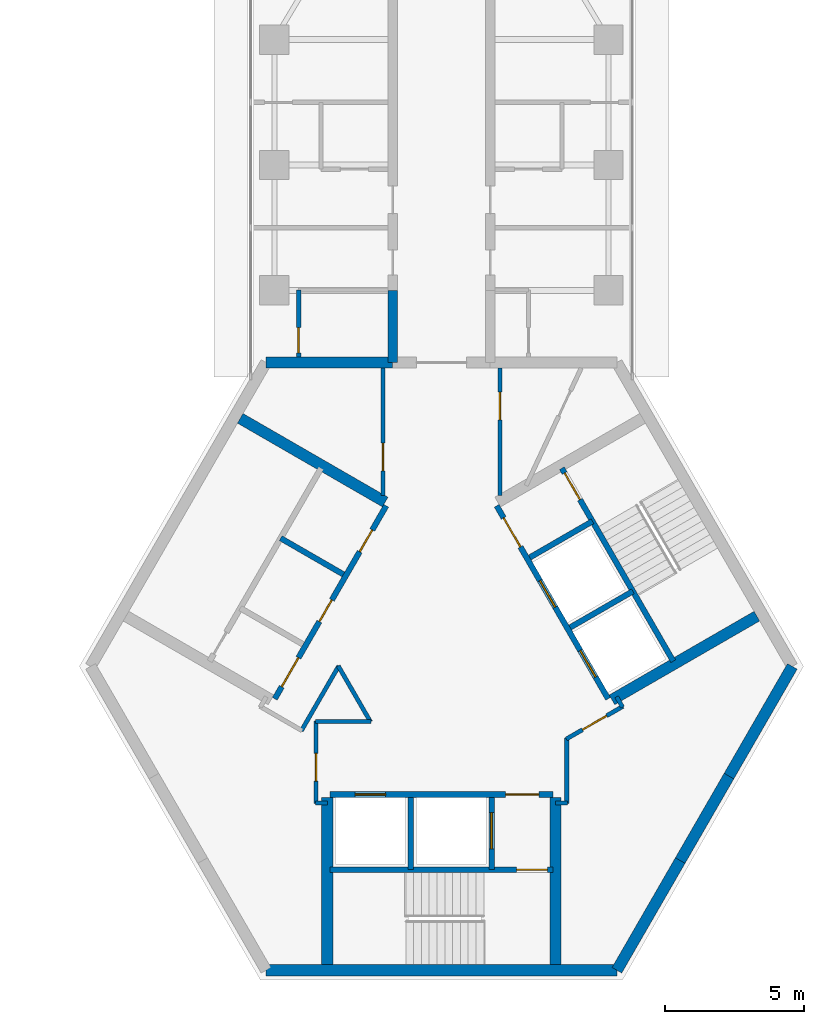
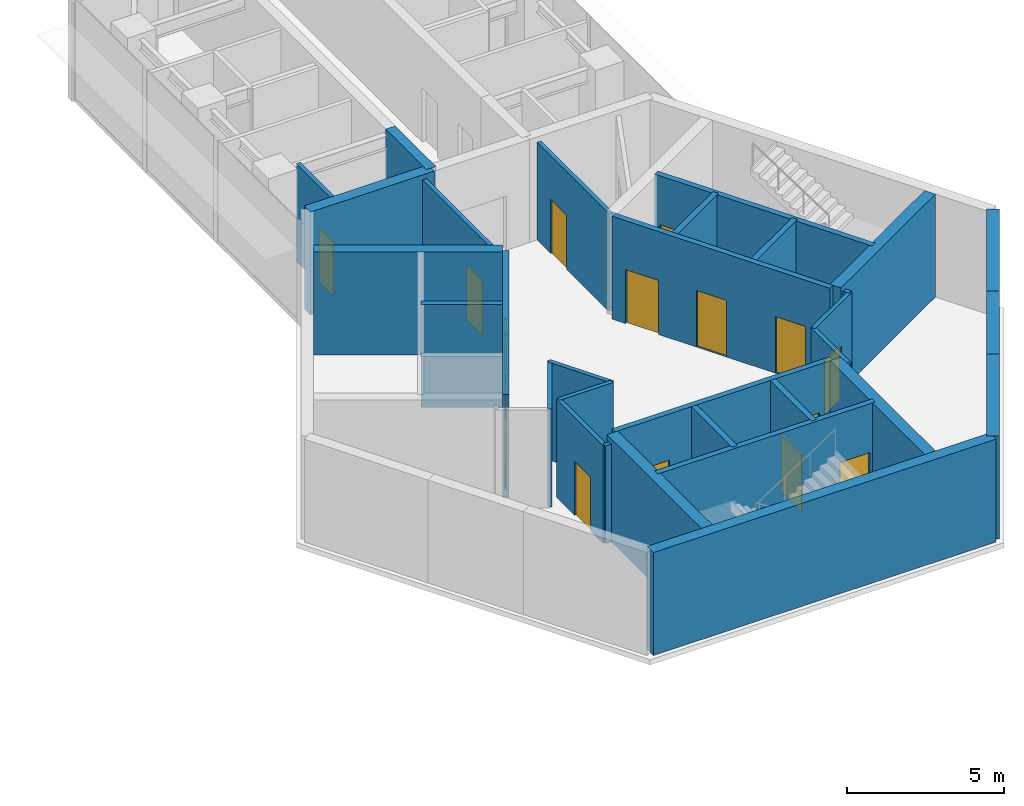
# One storey, part 8 of 11: 32 walls, 16 doors, 16 openings.
"""IFC4 building model written with IfcOpenShell, lengths in metres."""

from ifc_helpers import new_model, si_unit, direction, frame, frame_2d, origin, place, context, subcontext, project, spatial, rectangle, extrude, material, layer, layer_set, type_object, element, fill, save


model = new_model("IFC4")

# Units and contexts
model_context = context("Model", 3, precision=1e-05, world=origin(), true_north=direction((0.0, 1.0)))
body_context = subcontext(model_context, "Body", "Model", "MODEL_VIEW")
ifc_project = project(units=[si_unit("LENGTHUNIT", "METRE"), si_unit("AREAUNIT", "SQUARE_METRE"), si_unit("VOLUMEUNIT", "CUBIC_METRE"), si_unit("PLANEANGLEUNIT", "RADIAN"), si_unit("MASSUNIT", "GRAM", prefix="KILO")], contexts=[model_context])

# Site, building, storey
site_placement = place(None, origin())
site = spatial("IfcSite", under=ifc_project, at=site_placement, CompositionType="ELEMENT")
building_placement = place(site_placement, origin())
building = spatial("IfcBuilding", under=site, at=building_placement, Name="Upepo Twin Towers", CompositionType="ELEMENT")
storey_placement = place(building_placement, frame((0.0, 0.0, 259.5)))
storey = spatial("IfcBuildingStorey", under=building, at=storey_placement, Name="L63", CompositionType="ELEMENT", Elevation=259.5)

# Walls
ifc_material_1 = material(Name="Concrete C60/75", Category="concrete")
ifc_layer_1 = layer(ifc_material_1, 0.35009765625)
ifc_layer_set_1 = layer_set([ifc_layer_1], Name="Concrete C60/75")
wall_type_1 = type_object("IfcWallType", Name="Buttress wall 350 RC", PredefinedType="SHEAR", material=ifc_layer_set_1)
wall_1_placement = place(storey_placement, frame((56.75, -7.091552734375, 0.0), z_axis=(0.0, 0.0, 1.0), x_axis=(0.0, 1.0, 0.0)))
element("IfcWall", 1, at=wall_1_placement, inside=storey, type_object=wall_type_1, Name="T2 wing A buttress wall L", PredefinedType="SHEAR", context=body_context, shape_type="SweptSolid", body=[
    extrude(rectangle(XDim=2.591552734375, YDim=0.35009765625, at=frame_2d((1.2958984375, 0.0))), origin(), (0.0, 0.0, 1.0), 4.0),
])
ifc_material_2 = material(Name="Concrete C60/75", Category="concrete")
ifc_layer_2 = layer(ifc_material_2, 0.39990234375)
ifc_layer_set_2 = layer_set([ifc_layer_2], Name="Concrete C60/75")
wall_type_2 = type_object("IfcWallType", Name="Core wall 400 RC", PredefinedType="SHEAR", material=ifc_layer_set_2)
wall_2_placement = place(storey_placement, frame((56.75, -7.091552734375, 0.0), z_axis=(0.0, 0.0, 1.0), x_axis=(-1.0, 0.0, 0.0)))
element("IfcWall", 2, at=wall_2_placement, inside=storey, type_object=wall_type_2, Name="T2 core wall 000 L", PredefinedType="SHEAR", context=body_context, shape_type="SweptSolid", body=[
    extrude(rectangle(XDim=4.5478515625, YDim=0.39990234375, at=frame_2d((2.27392578125, 0.0))), origin(), (0.0, 0.0, 1.0), 4.0),
])
wall_3_placement = place(storey_placement, frame((52.2021484375, -28.908447265625, 0.0), z_axis=(0.0, 0.0, 1.0), x_axis=(1.0, 0.0, 0.0)))
element("IfcWall", 3, at=wall_3_placement, inside=storey, type_object=wall_type_2, Name="T2 core wall 180", PredefinedType="SHEAR", context=body_context, shape_type="SweptSolid", body=[
    extrude(rectangle(XDim=12.595703125, YDim=0.39990234375, at=frame_2d((6.2978515625, 0.0))), origin(), (0.0, 0.0, 1.0), 4.0),
])
wall_4_placement = place(storey_placement, frame((64.7978515625, -28.908447265625, 0.0), z_axis=(0.0, 0.0, 1.0), x_axis=(0.499984222037, 0.866034513004, 0.0)))
element("IfcWall", 4, at=wall_4_placement, inside=storey, type_object=wall_type_2, Name="T2 core wall 240 R", PredefinedType="SHEAR", context=body_context, shape_type="SweptSolid", body=[
    extrude(rectangle(XDim=4.548095703125, YDim=0.39990234375, at=frame_2d((2.27392578125, 0.0))), origin(), (0.0, 0.0, 1.0), 4.0),
])
wall_5_placement = place(storey_placement, frame((67.07177734375, -24.9697265625, 0.0), z_axis=(0.0, 0.0, 1.0), x_axis=(0.500010275428, 0.866019471182, 0.0)))
element("IfcWall", 5, at=wall_5_placement, inside=storey, type_object=wall_type_2, Name="T2 core wall 240", PredefinedType="SHEAR", context=body_context, shape_type="SweptSolid", body=[
    extrude(rectangle(XDim=3.5, YDim=0.39990234375, at=frame_2d((1.75, 0.0))), origin(), (0.0, 0.0, 1.0), 4.0),
])
wall_6_placement = place(storey_placement, frame((68.82177734375, -21.938720703125, 0.0), z_axis=(0.0, 0.0, 1.0), x_axis=(0.500024481964, 0.866011268655, 0.0)))
element("IfcWall", 6, at=wall_6_placement, inside=storey, type_object=wall_type_2, Name="T2 core wall 240 L", PredefinedType="SHEAR", context=body_context, shape_type="SweptSolid", body=[
    extrude(rectangle(XDim=4.548095703125, YDim=0.39990234375, at=frame_2d((2.27392578125, 0.0))), origin(), (0.0, 0.0, 1.0), 4.0),
])

# Wall, openings, doors
ifc_material_3 = material(Name="Concrete C40/50", Category="concrete")
ifc_layer_3 = layer(ifc_material_3, 0.199951171875)
ifc_layer_set_3 = layer_set([ifc_layer_3], Name="Concrete C40/50")
wall_type_3 = type_object("IfcWallType", Name="Shaft wall 200 RC", PredefinedType="SHEAR", material=ifc_layer_set_3)
wall_7_placement = place(storey_placement, frame((56.516357421875, -12.23583984375, 0.0), z_axis=(0.0, 0.0, 1.0), x_axis=(-0.49999894854, -0.866026010844, 0.0)))
wall_7 = element("IfcWall", 7, at=wall_7_placement, inside=storey, type_object=wall_type_3, Name="T2 core W60 front wall", PredefinedType="SHEAR", context=body_context, shape_type="SweptSolid", body=[
    extrude(rectangle(XDim=8.0, YDim=0.199951171875, at=frame_2d((4.0, 0.0))), origin(), (0.0, 0.0, 1.0), 4.0),
])
opening_1_placement = place(wall_7_placement, frame((6.300048828125, 0.0, 0.0)))
opening_1 = element("IfcOpeningElement", 8, at=opening_1_placement, cuts=wall_7, Name="Opening D4", PredefinedType="OPENING", context=body_context, shape_type="SweptSolid", body=[
    extrude(rectangle(XDim=1.199951171875, YDim=2.10009765625, at=frame_2d((0.60009765625, 1.050048828125))), frame((0.0, 0.10986328125, 0.0), z_axis=(0.0, -1.0, 0.0), x_axis=(1.0, 0.0, 0.0)), (0.0, 0.0, 1.0), 0.219970703125),
])
opening_2_placement = place(wall_7_placement, frame((1.0, 0.0, 0.0)))
opening_2 = element("IfcOpeningElement", 9, at=opening_2_placement, cuts=wall_7, Name="Opening D9", PredefinedType="OPENING", context=body_context, shape_type="SweptSolid", body=[
    extrude(rectangle(XDim=0.89990234375, YDim=2.10009765625, at=frame_2d((0.449951171875, 1.050048828125))), frame((0.0, 0.10986328125, 0.0), z_axis=(0.0, -1.0, 0.0), x_axis=(1.0, 0.0, 0.0)), (0.0, 0.0, 1.0), 0.219970703125),
])
opening_3_placement = place(wall_7_placement, frame((3.89990234375, 0.0, 0.0)))
opening_3 = element("IfcOpeningElement", 10, at=opening_3_placement, cuts=wall_7, Name="Opening D9", PredefinedType="OPENING", context=body_context, shape_type="SweptSolid", body=[
    extrude(rectangle(XDim=0.89990234375, YDim=2.10009765625, at=frame_2d((0.449951171875, 1.050048828125))), frame((0.0, 0.10986328125, 0.0), z_axis=(0.0, -1.0, 0.0), x_axis=(1.0, 0.0, 0.0)), (0.0, 0.0, 1.0), 0.219970703125),
])
ifc_material_4 = material(Name="Timber doorset", Category="wood")
door_type_1 = type_object("IfcDoorType", Name="Lobby door 1200 FD60", OperationType="SINGLE_SWING_LEFT", PredefinedType="DOOR", material=ifc_material_4)
door_1_placement = place(opening_1_placement, origin())
door_1 = element("IfcDoor", 11, at=door_1_placement, inside=storey, type_object=door_type_1, Name="T2 L63 W60 lobby door", OperationType="SINGLE_SWING_RIGHT", OverallHeight=2.10009765625, OverallWidth=1.199951171875, PredefinedType="DOOR", context=body_context, shape_type="SweptSolid", body=[
    extrude(rectangle(XDim=1.199951171875, YDim=2.10009765625, at=frame_2d((0.60009765625, 1.050048828125))), frame((0.0, 0.02490234375, 0.0), z_axis=(0.0, -1.0, 0.0), x_axis=(1.0, 0.0, 0.0)), (0.0, 0.0, 1.0), 0.050048828125),
])
fill(opening_1, door_1)
ifc_material_5 = material(Name="Timber doorset", Category="wood")
door_type_2 = type_object("IfcDoorType", Name="Riser door 900 FD60", OperationType="SINGLE_SWING_LEFT", PredefinedType="DOOR", material=ifc_material_5)
door_2_placement = place(opening_2_placement, origin())
door_2 = element("IfcDoor", 12, at=door_2_placement, inside=storey, type_object=door_type_2, Name="T2 L63 first-aid room door", OperationType="SINGLE_SWING_LEFT", OverallHeight=2.10009765625, OverallWidth=0.89990234375, PredefinedType="DOOR", context=body_context, shape_type="SweptSolid", body=[
    extrude(rectangle(XDim=0.89990234375, YDim=2.10009765625, at=frame_2d((0.449951171875, 1.050048828125))), frame((0.0, 0.02490234375, 0.0), z_axis=(0.0, -1.0, 0.0), x_axis=(1.0, 0.0, 0.0)), (0.0, 0.0, 1.0), 0.050048828125),
])
fill(opening_2, door_2)
door_3_placement = place(opening_3_placement, origin())
door_3 = element("IfcDoor", 13, at=door_3_placement, inside=storey, type_object=door_type_2, Name="T2 L63 cleaner's store door", OperationType="SINGLE_SWING_RIGHT", OverallHeight=2.10009765625, OverallWidth=0.89990234375, PredefinedType="DOOR", context=body_context, shape_type="SweptSolid", body=[
    extrude(rectangle(XDim=0.89990234375, YDim=2.10009765625, at=frame_2d((0.449951171875, 1.050048828125))), frame((0.0, 0.02490234375, 0.0), z_axis=(0.0, -1.0, 0.0), x_axis=(1.0, 0.0, 0.0)), (0.0, 0.0, 1.0), 0.050048828125),
])
fill(opening_3, door_3)

# Wall
wall_8_placement = place(storey_placement, frame((54.979736328125, -14.697265625, 0.0), z_axis=(0.0, 0.0, 1.0), x_axis=(-0.866062058628, 0.499936506574, 0.0)))
element("IfcWall", 14, at=wall_8_placement, inside=storey, type_object=wall_type_3, Name="T2 core W60 shaft divider", PredefinedType="SHEAR", context=body_context, shape_type="SweptSolid", body=[
    extrude(rectangle(XDim=2.599853515625, YDim=0.199951171875, at=frame_2d((1.2998046875, 0.0))), origin(), (0.0, 0.0, 1.0), 4.0),
])

# Wall, openings, doors
wall_9_placement = place(storey_placement, frame((54.5, -22.60009765625, 0.0), z_axis=(0.0, 0.0, 1.0), x_axis=(1.0, 0.0, 0.0)))
wall_9 = element("IfcWall", 15, at=wall_9_placement, inside=storey, type_object=wall_type_3, Name="T2 core W180 front wall", PredefinedType="SHEAR", context=body_context, shape_type="SweptSolid", body=[
    extrude(rectangle(XDim=8.0, YDim=0.199951171875, at=frame_2d((4.0, 0.0))), origin(), (0.0, 0.0, 1.0), 4.0),
])
opening_4_placement = place(wall_9_placement, frame((6.300048828125, 0.0, 0.0)))
opening_4 = element("IfcOpeningElement", 16, at=opening_4_placement, cuts=wall_9, Name="Opening D4", PredefinedType="OPENING", context=body_context, shape_type="SweptSolid", body=[
    extrude(rectangle(XDim=1.199951171875, YDim=2.10009765625, at=frame_2d((0.60009765625, 1.050048828125))), frame((0.0, 0.10986328125, 0.0), z_axis=(0.0, -1.0, 0.0), x_axis=(1.0, 0.0, 0.0)), (0.0, 0.0, 1.0), 0.219970703125),
])
opening_5_placement = place(wall_9_placement, frame((0.89990234375, 0.0, 0.0)))
opening_5 = element("IfcOpeningElement", 17, at=opening_5_placement, cuts=wall_9, Name="Opening LD1", PredefinedType="OPENING", context=body_context, shape_type="SweptSolid", body=[
    extrude(rectangle(XDim=1.10009765625, YDim=2.199951171875, at=frame_2d((0.550048828125, 1.10009765625))), frame((0.0, 0.10986328125, 0.0), z_axis=(0.0, -1.0, 0.0), x_axis=(1.0, 0.0, 0.0)), (0.0, 0.0, 1.0), 0.219970703125),
])
ifc_material_6 = material(Name="Steel doorset", Category="steel")
door_type_3 = type_object("IfcDoorType", Name="Lift landing door 1100", OperationType="DOUBLE_DOOR_SLIDING", PredefinedType="DOOR", material=ifc_material_6)
door_4_placement = place(opening_5_placement, origin())
door_4 = element("IfcDoor", 18, at=door_4_placement, inside=storey, type_object=door_type_3, Name="T2 L63 lift SV1 landing door", OperationType="DOUBLE_DOOR_SLIDING", OverallHeight=2.199951171875, OverallWidth=1.10009765625, PredefinedType="DOOR", context=body_context, shape_type="SweptSolid", body=[
    extrude(rectangle(XDim=1.10009765625, YDim=2.199951171875, at=frame_2d((0.550048828125, 1.10009765625))), frame((0.0, 0.02490234375, 0.0), z_axis=(0.0, -1.0, 0.0), x_axis=(1.0, 0.0, 0.0)), (0.0, 0.0, 1.0), 0.050048828125),
])
fill(opening_5, door_4)
door_5_placement = place(opening_4_placement, origin())
door_5 = element("IfcDoor", 19, at=door_5_placement, inside=storey, type_object=door_type_1, Name="T2 L63 W180 lobby door", OperationType="SINGLE_SWING_RIGHT", OverallHeight=2.10009765625, OverallWidth=1.199951171875, PredefinedType="DOOR", context=body_context, shape_type="SweptSolid", body=[
    extrude(rectangle(XDim=1.199951171875, YDim=2.10009765625, at=frame_2d((0.60009765625, 1.050048828125))), frame((0.0, 0.02490234375, 0.0), z_axis=(0.0, -1.0, 0.0), x_axis=(1.0, 0.0, 0.0)), (0.0, 0.0, 1.0), 0.050048828125),
])
fill(opening_4, door_5)

# Wall
wall_10_placement = place(storey_placement, frame((57.39990234375, -22.699951171875, 0.0), z_axis=(0.0, 0.0, 1.0), x_axis=(0.0, -1.0, 0.0)))
element("IfcWall", 20, at=wall_10_placement, inside=storey, type_object=wall_type_3, Name="T2 core W180 shaft divider", PredefinedType="SHEAR", context=body_context, shape_type="SweptSolid", body=[
    extrude(rectangle(XDim=2.60009765625, YDim=0.199951171875, at=frame_2d((1.300048828125, 0.0))), origin(), (0.0, 0.0, 1.0), 4.0),
])

# Wall, opening, door
wall_11_placement = place(storey_placement, frame((60.300048828125, -22.699951171875, 0.0), z_axis=(0.0, 0.0, 1.0), x_axis=(0.0, -1.0, 0.0)))
wall_11 = element("IfcWall", 21, at=wall_11_placement, inside=storey, type_object=wall_type_3, Name="T2 core W180 lobby wall", PredefinedType="SHEAR", context=body_context, shape_type="SweptSolid", body=[
    extrude(rectangle(XDim=2.60009765625, YDim=0.199951171875, at=frame_2d((1.300048828125, 0.0))), origin(), (0.0, 0.0, 1.0), 4.0),
])
opening_6_placement = place(wall_11_placement, frame((0.550048828125, 0.0, 0.0)))
opening_6 = element("IfcOpeningElement", 22, at=opening_6_placement, cuts=wall_11, Name="Opening LD2", PredefinedType="OPENING", context=body_context, shape_type="SweptSolid", body=[
    extrude(rectangle(XDim=1.300048828125, YDim=2.199951171875, at=frame_2d((0.64990234375, 1.10009765625))), frame((0.0, 0.10986328125, 0.0), z_axis=(0.0, -1.0, 0.0), x_axis=(1.0, 0.0, 0.0)), (0.0, 0.0, 1.0), 0.219970703125),
])
ifc_material_7 = material(Name="Steel doorset", Category="steel")
door_type_4 = type_object("IfcDoorType", Name="Firefighting lift landing door 1300", OperationType="DOUBLE_DOOR_SLIDING", PredefinedType="DOOR", material=ifc_material_7)
door_6_placement = place(opening_6_placement, origin())
door_6 = element("IfcDoor", 23, at=door_6_placement, inside=storey, type_object=door_type_4, Name="T2 L63 firefighting lift landing door", OperationType="DOUBLE_DOOR_SLIDING", OverallHeight=2.199951171875, OverallWidth=1.300048828125, PredefinedType="DOOR", context=body_context, shape_type="SweptSolid", body=[
    extrude(rectangle(XDim=1.300048828125, YDim=2.199951171875, at=frame_2d((0.64990234375, 1.10009765625))), frame((0.0, 0.02490234375, 0.0), z_axis=(0.0, -1.0, 0.0), x_axis=(1.0, 0.0, 0.0)), (0.0, 0.0, 1.0), 0.050048828125),
])
fill(opening_6, door_6)

wall_12_placement = place(storey_placement, frame((54.5, -25.300048828125, 0.0), z_axis=(0.0, 0.0, 1.0), x_axis=(1.0, 0.0, 0.0)))
wall_12 = element("IfcWall", 24, at=wall_12_placement, inside=storey, type_object=wall_type_3, Name="T2 core W180 stair wall", PredefinedType="SHEAR", context=body_context, shape_type="SweptSolid", body=[
    extrude(rectangle(XDim=8.0, YDim=0.199951171875, at=frame_2d((4.0, 0.0))), origin(), (0.0, 0.0, 1.0), 4.0),
])
opening_7_placement = place(wall_12_placement, frame((6.699951171875, 0.0, 0.0)))
opening_7 = element("IfcOpeningElement", 25, at=opening_7_placement, cuts=wall_12, Name="Opening D3", PredefinedType="OPENING", context=body_context, shape_type="SweptSolid", body=[
    extrude(rectangle(XDim=1.10009765625, YDim=2.10009765625, at=frame_2d((0.550048828125, 1.050048828125))), frame((0.0, 0.10986328125, 0.0), z_axis=(0.0, -1.0, 0.0), x_axis=(1.0, 0.0, 0.0)), (0.0, 0.0, 1.0), 0.219970703125),
])
ifc_material_8 = material(Name="Timber doorset", Category="wood")
door_type_5 = type_object("IfcDoorType", Name="Stair door 1100 FD60", OperationType="SINGLE_SWING_LEFT", PredefinedType="DOOR", material=ifc_material_8)
door_7_placement = place(opening_7_placement, origin())
door_7 = element("IfcDoor", 26, at=door_7_placement, inside=storey, type_object=door_type_5, Name="T2 L63 stair door", OperationType="SINGLE_SWING_RIGHT", OverallHeight=2.10009765625, OverallWidth=1.10009765625, PredefinedType="DOOR", context=body_context, shape_type="SweptSolid", body=[
    extrude(rectangle(XDim=1.10009765625, YDim=2.10009765625, at=frame_2d((0.550048828125, 1.050048828125))), frame((0.0, 0.02490234375, 0.0), z_axis=(0.0, -1.0, 0.0), x_axis=(1.0, 0.0, 0.0)), (0.0, 0.0, 1.0), 0.050048828125),
])
fill(opening_7, door_7)

# Wall, openings, doors
wall_13_placement = place(storey_placement, frame((64.483642578125, -19.1640625, 0.0), z_axis=(0.0, 0.0, 1.0), x_axis=(-0.49999894854, 0.866026010844, 0.0)))
wall_13 = element("IfcWall", 27, at=wall_13_placement, inside=storey, type_object=wall_type_3, Name="T2 core W300 front wall", PredefinedType="SHEAR", context=body_context, shape_type="SweptSolid", body=[
    extrude(rectangle(XDim=8.0, YDim=0.199951171875, at=frame_2d((4.0, 0.0))), origin(), (0.0, 0.0, 1.0), 4.0),
])
opening_8_placement = place(wall_13_placement, frame((6.300048828125, 0.0, 0.0)))
opening_8 = element("IfcOpeningElement", 28, at=opening_8_placement, cuts=wall_13, Name="Opening D4", PredefinedType="OPENING", context=body_context, shape_type="SweptSolid", body=[
    extrude(rectangle(XDim=1.199951171875, YDim=2.10009765625, at=frame_2d((0.60009765625, 1.050048828125))), frame((0.0, 0.10986328125, 0.0), z_axis=(0.0, -1.0, 0.0), x_axis=(1.0, 0.0, 0.0)), (0.0, 0.0, 1.0), 0.219970703125),
])
opening_9_placement = place(wall_13_placement, frame((0.89990234375, 0.0, 0.0)))
opening_9 = element("IfcOpeningElement", 29, at=opening_9_placement, cuts=wall_13, Name="Opening LD1", PredefinedType="OPENING", context=body_context, shape_type="SweptSolid", body=[
    extrude(rectangle(XDim=1.10009765625, YDim=2.199951171875, at=frame_2d((0.550048828125, 1.10009765625))), frame((0.0, 0.10986328125, 0.0), z_axis=(0.0, -1.0, 0.0), x_axis=(1.0, 0.0, 0.0)), (0.0, 0.0, 1.0), 0.219970703125),
])
opening_10_placement = place(wall_13_placement, frame((3.800048828125, 0.0, 0.0)))
opening_10 = element("IfcOpeningElement", 30, at=opening_10_placement, cuts=wall_13, Name="Opening LD1", PredefinedType="OPENING", context=body_context, shape_type="SweptSolid", body=[
    extrude(rectangle(XDim=1.10009765625, YDim=2.199951171875, at=frame_2d((0.550048828125, 1.10009765625))), frame((0.0, 0.10986328125, 0.0), z_axis=(0.0, -1.0, 0.0), x_axis=(1.0, 0.0, 0.0)), (0.0, 0.0, 1.0), 0.219970703125),
])
door_8_placement = place(opening_9_placement, origin())
door_8 = element("IfcDoor", 31, at=door_8_placement, inside=storey, type_object=door_type_3, Name="T2 L63 lift TL1 landing door", OperationType="DOUBLE_DOOR_SLIDING", OverallHeight=2.199951171875, OverallWidth=1.10009765625, PredefinedType="DOOR", context=body_context, shape_type="SweptSolid", body=[
    extrude(rectangle(XDim=1.10009765625, YDim=2.199951171875, at=frame_2d((0.550048828125, 1.10009765625))), frame((0.0, 0.02490234375, 0.0), z_axis=(0.0, -1.0, 0.0), x_axis=(1.0, 0.0, 0.0)), (0.0, 0.0, 1.0), 0.050048828125),
])
fill(opening_9, door_8)
door_9_placement = place(opening_10_placement, origin())
door_9 = element("IfcDoor", 32, at=door_9_placement, inside=storey, type_object=door_type_3, Name="T2 L63 lift TL2 landing door", OperationType="DOUBLE_DOOR_SLIDING", OverallHeight=2.199951171875, OverallWidth=1.10009765625, PredefinedType="DOOR", context=body_context, shape_type="SweptSolid", body=[
    extrude(rectangle(XDim=1.10009765625, YDim=2.199951171875, at=frame_2d((0.550048828125, 1.10009765625))), frame((0.0, 0.02490234375, 0.0), z_axis=(0.0, -1.0, 0.0), x_axis=(1.0, 0.0, 0.0)), (0.0, 0.0, 1.0), 0.050048828125),
])
fill(opening_10, door_9)
door_10_placement = place(opening_8_placement, origin())
door_10 = element("IfcDoor", 33, at=door_10_placement, inside=storey, type_object=door_type_1, Name="T2 L63 W300 lobby door", OperationType="SINGLE_SWING_RIGHT", OverallHeight=2.10009765625, OverallWidth=1.199951171875, PredefinedType="DOOR", context=body_context, shape_type="SweptSolid", body=[
    extrude(rectangle(XDim=1.199951171875, YDim=2.10009765625, at=frame_2d((0.60009765625, 1.050048828125))), frame((0.0, 0.02490234375, 0.0), z_axis=(0.0, -1.0, 0.0), x_axis=(1.0, 0.0, 0.0)), (0.0, 0.0, 1.0), 0.050048828125),
])
fill(opening_8, door_10)

# Walls
wall_14_placement = place(storey_placement, frame((63.120361328125, -16.6025390625, 0.0), z_axis=(0.0, 0.0, 1.0), x_axis=(0.866062058628, 0.499936506574, 0.0)))
element("IfcWall", 34, at=wall_14_placement, inside=storey, type_object=wall_type_3, Name="T2 core W300 shaft divider", PredefinedType="SHEAR", context=body_context, shape_type="SweptSolid", body=[
    extrude(rectangle(XDim=2.599853515625, YDim=0.199951171875, at=frame_2d((1.2998046875, 0.0))), origin(), (0.0, 0.0, 1.0), 4.0),
])
wall_15_placement = place(storey_placement, frame((61.67041015625, -14.091064453125, 0.0), z_axis=(0.0, 0.0, 1.0), x_axis=(0.86603858612, 0.49997716683, 0.0)))
element("IfcWall", 35, at=wall_15_placement, inside=storey, type_object=wall_type_3, Name="T2 core W300 lobby wall", PredefinedType="SHEAR", context=body_context, shape_type="SweptSolid", body=[
    extrude(rectangle(XDim=2.599609375, YDim=0.199951171875, at=frame_2d((1.2998046875, 0.0))), origin(), (0.0, 0.0, 1.0), 4.0),
])

# Wall, opening, door
wall_16_placement = place(storey_placement, frame((66.822021484375, -17.814208984375, 0.0), z_axis=(0.0, 0.0, 1.0), x_axis=(-0.49999894854, 0.866026010844, 0.0)))
wall_16 = element("IfcWall", 36, at=wall_16_placement, inside=storey, type_object=wall_type_3, Name="T2 core W300 stair wall", PredefinedType="SHEAR", context=body_context, shape_type="SweptSolid", body=[
    extrude(rectangle(XDim=8.0, YDim=0.199951171875, at=frame_2d((4.0, 0.0))), origin(), (0.0, 0.0, 1.0), 4.0),
])
opening_11_placement = place(wall_16_placement, frame((6.699951171875, 0.0, 0.0)))
opening_11 = element("IfcOpeningElement", 37, at=opening_11_placement, cuts=wall_16, Name="Opening D3", PredefinedType="OPENING", context=body_context, shape_type="SweptSolid", body=[
    extrude(rectangle(XDim=1.10009765625, YDim=2.10009765625, at=frame_2d((0.550048828125, 1.050048828125))), frame((0.0, 0.10986328125, 0.0), z_axis=(0.0, -1.0, 0.0), x_axis=(1.0, 0.0, 0.0)), (0.0, 0.0, 1.0), 0.219970703125),
])
door_11_placement = place(opening_11_placement, origin())
door_11 = element("IfcDoor", 38, at=door_11_placement, inside=storey, type_object=door_type_5, Name="T2 L63 stair door", OperationType="SINGLE_SWING_RIGHT", OverallHeight=2.10009765625, OverallWidth=1.10009765625, PredefinedType="DOOR", context=body_context, shape_type="SweptSolid", body=[
    extrude(rectangle(XDim=1.10009765625, YDim=2.10009765625, at=frame_2d((0.550048828125, 1.050048828125))), frame((0.0, 0.02490234375, 0.0), z_axis=(0.0, -1.0, 0.0), x_axis=(1.0, 0.0, 0.0)), (0.0, 0.0, 1.0), 0.050048828125),
])
fill(opening_11, door_11)

# Walls
ifc_material_9 = material(Name="Concrete C40/50", Category="concrete")
ifc_layer_4 = layer(ifc_material_9, 0.39990234375)
ifc_layer_set_4 = layer_set([ifc_layer_4], Name="Concrete C40/50")
wall_type_4 = type_object("IfcWallType", Name="Shaft wall 400 RC", PredefinedType="SHEAR", material=ifc_layer_set_4)
for number, where, z_axis, x_axis, name in (
    (39, (56.479736328125, -12.099365234375, 0.0), (0.0, 0.0, 1.0), (-0.866026570101, 0.499997979876, 0.0), "T2 core W60 side wall S"),
    (40, (62.60009765625, -22.699951171875, 0.0), (0.0, 0.0, 1.0), (0.0, -1.0, 0.0), "T2 core W180 side wall N"),
    (41, (54.39990234375, -22.699951171875, 0.0), (0.0, 0.0, 1.0), (0.0, -1.0, 0.0), "T2 core W180 side wall S"),
    (42, (64.620361328125, -19.20068359375, 0.0), (0.0, 0.0, 1.0), (0.866026570101, 0.499997979876, 0.0), "T2 core W300 side wall S"),
):
    element("IfcWall", number, at=place(storey_placement, frame(where, z_axis=z_axis, x_axis=x_axis)), inside=storey, type_object=wall_type_4, Name=name, PredefinedType="SHEAR", context=body_context, shape_type="SweptSolid", body=[
        extrude(rectangle(XDim=6.00830078125, YDim=0.39990234375, at=frame_2d((3.004150390625, 0.0))), origin(), (0.0, 0.0, 1.0), 4.0),
    ])

# Wall, opening, door
ifc_material_10 = material(Name="Gypsum board on steel studs", Category="steel")
ifc_layer_5 = layer(ifc_material_10, 0.14990234375)
ifc_layer_set_5 = layer_set([ifc_layer_5], Name="Teaching partition 150 acoustic")
wall_type_5 = type_object("IfcWallType", Name="Teaching partition 150 acoustic", PredefinedType="PARTITIONING", material=ifc_layer_set_5)
wall_17_placement = place(storey_placement, frame((53.375, -6.89208984375, 0.0), z_axis=(0.0, 0.0, 1.0), x_axis=(0.0, 1.0, 0.0)))
wall_17 = element("IfcWall", 43, at=wall_17_placement, inside=storey, type_object=wall_type_5, Name="T2 WC bay partition AL at 11.11", PredefinedType="PARTITIONING", context=body_context, shape_type="SweptSolid", body=[
    extrude(rectangle(XDim=2.400146484375, YDim=0.14990234375, at=frame_2d((1.2001953125, 0.0))), origin(), (0.0, 0.0, 1.0), 3.800048828125),
])
opening_12_placement = place(wall_17_placement, frame((0.14990234375, 0.0, 0.0)))
opening_12 = element("IfcOpeningElement", 44, at=opening_12_placement, cuts=wall_17, Name="Opening D14", PredefinedType="OPENING", context=body_context, shape_type="SweptSolid", body=[
    extrude(rectangle(XDim=0.89990234375, YDim=2.10009765625, at=frame_2d((0.449951171875, 1.050048828125))), frame((0.0, 0.0849609375, 0.0), z_axis=(0.0, -1.0, 0.0), x_axis=(1.0, 0.0, 0.0)), (0.0, 0.0, 1.0), 0.169921875),
])
ifc_material_11 = material(Name="Timber doorset", Category="wood")
door_type_6 = type_object("IfcDoorType", Name="Office door 900 FD30", OperationType="SINGLE_SWING_LEFT", PredefinedType="DOOR", material=ifc_material_11)
door_12_placement = place(opening_12_placement, origin())
door_12 = element("IfcDoor", 45, at=door_12_placement, inside=storey, type_object=door_type_6, Name="T2 L63 WC bay inner room door", OperationType="SINGLE_SWING_LEFT", OverallHeight=2.10009765625, OverallWidth=0.89990234375, PredefinedType="DOOR", context=body_context, shape_type="SweptSolid", body=[
    extrude(rectangle(XDim=0.89990234375, YDim=2.10009765625, at=frame_2d((0.449951171875, 1.050048828125))), frame((0.0, 0.02490234375, 0.0), z_axis=(0.0, -1.0, 0.0), x_axis=(1.0, 0.0, 0.0)), (0.0, 0.0, 1.0), 0.050048828125),
])
fill(opening_12, door_12)

# Walls
for number, where, z_axis, x_axis, name in (
    (46, (63.02001953125, -22.89990234375, 0.0), (0.0, 0.0, 1.0), (-1.0, 0.0, 0.0), "T2 core room partition 1"),
    (47, (54.409912109375, -22.89990234375, 0.0), (0.0, 0.0, 1.0), (-1.0, 0.0, 0.0), "T2 core room partition 2"),
):
    element("IfcWall", number, at=place(storey_placement, frame(where, z_axis=z_axis, x_axis=x_axis)), inside=storey, type_object=wall_type_5, Name=name, PredefinedType="PARTITIONING", context=body_context, shape_type="SweptSolid", body=[
        extrude(rectangle(XDim=0.429931640625, YDim=0.14990234375, at=frame_2d((0.21484375, 0.0))), origin(), (0.0, 0.0, 1.0), 3.800048828125),
    ])

# Wall, opening, door
wall_18_placement = place(storey_placement, frame((54.0, -22.919921875, 0.0), z_axis=(0.0, 0.0, 1.0), x_axis=(0.0, 1.0, 0.0)))
wall_18 = element("IfcWall", 48, at=wall_18_placement, inside=storey, type_object=wall_type_5, Name="T2 core room partition 3", PredefinedType="PARTITIONING", context=body_context, shape_type="SweptSolid", body=[
    extrude(rectangle(XDim=2.96484375, YDim=0.14990234375, at=frame_2d((1.482421875, 0.0))), origin(), (0.0, 0.0, 1.0), 3.800048828125),
])
opening_13_placement = place(wall_18_placement, frame((0.800048828125, 0.0, 0.0)))
opening_13 = element("IfcOpeningElement", 49, at=opening_13_placement, cuts=wall_18, Name="Opening D1", PredefinedType="OPENING", context=body_context, shape_type="SweptSolid", body=[
    extrude(rectangle(XDim=1.0, YDim=2.10009765625, at=frame_2d((0.5, 1.050048828125))), frame((0.0, 0.0849609375, 0.0), z_axis=(0.0, -1.0, 0.0), x_axis=(1.0, 0.0, 0.0)), (0.0, 0.0, 1.0), 0.169921875),
])
ifc_material_12 = material(Name="Timber doorset", Category="wood")
door_type_7 = type_object("IfcDoorType", Name="Room door 1000 FD30", OperationType="SINGLE_SWING_LEFT", PredefinedType="DOOR", material=ifc_material_12)
door_13_placement = place(opening_13_placement, origin())
door_13 = element("IfcDoor", 50, at=door_13_placement, inside=storey, type_object=door_type_7, Name="T2 L63 core room door K1", OperationType="SINGLE_SWING_LEFT", OverallHeight=2.10009765625, OverallWidth=1.0, PredefinedType="DOOR", context=body_context, shape_type="SweptSolid", body=[
    extrude(rectangle(XDim=1.0, YDim=2.10009765625, at=frame_2d((0.5, 1.050048828125))), frame((0.0, 0.02490234375, 0.0), z_axis=(0.0, -1.0, 0.0), x_axis=(1.0, 0.0, 0.0)), (0.0, 0.0, 1.0), 0.050048828125),
])
fill(opening_13, door_13)

# Walls
wall_19_placement = place(storey_placement, frame((53.97998046875, -19.97509765625, 0.0), z_axis=(0.0, 0.0, 1.0), x_axis=(1.0, 0.0, 0.0)))
element("IfcWall", 51, at=wall_19_placement, inside=storey, type_object=wall_type_5, Name="T2 core room partition 4", PredefinedType="PARTITIONING", context=body_context, shape_type="SweptSolid", body=[
    extrude(rectangle(XDim=1.985107421875, YDim=0.14990234375, at=frame_2d((0.99267578125, 0.0))), origin(), (0.0, 0.0, 1.0), 3.800048828125),
])
wall_20_placement = place(storey_placement, frame((55.955078125, -19.992431640625, 0.0), z_axis=(0.0, 0.0, 1.0), x_axis=(-0.499941024108, 0.866059450854, 0.0)))
element("IfcWall", 52, at=wall_20_placement, inside=storey, type_object=wall_type_5, Name="T2 core room partition 5", PredefinedType="PARTITIONING", context=body_context, shape_type="SweptSolid", body=[
    extrude(rectangle(XDim=2.320556640625, YDim=0.14990234375, at=frame_2d((1.16015625, 0.0))), origin(), (0.0, 0.0, 1.0), 3.800048828125),
])
wall_21_placement = place(storey_placement, frame((54.81494140625, -17.982666015625, 0.0), z_axis=(0.0, 0.0, 1.0), x_axis=(-0.499981473571, -0.866036099759, 0.0)))
element("IfcWall", 53, at=wall_21_placement, inside=storey, type_object=wall_type_5, Name="T2 core room partition 6", PredefinedType="PARTITIONING", context=body_context, shape_type="SweptSolid", body=[
    extrude(rectangle(XDim=2.6923828125, YDim=0.14990234375, at=frame_2d((1.34619140625, 0.0))), origin(), (0.0, 0.0, 1.0), 3.800048828125),
])

# Wall, opening, door
wall_22_placement = place(storey_placement, frame((56.39990234375, -11.857421875, 0.0), z_axis=(0.0, 0.0, 1.0), x_axis=(0.0, 1.0, 0.0)))
wall_22 = element("IfcWall", 54, at=wall_22_placement, inside=storey, type_object=wall_type_5, Name="T2 core room partition 9", PredefinedType="PARTITIONING", context=body_context, shape_type="SweptSolid", body=[
    extrude(rectangle(XDim=4.57568359375, YDim=0.14990234375, at=frame_2d((2.287841796875, 0.0))), origin(), (0.0, 0.0, 1.0), 3.800048828125),
])
opening_14_placement = place(wall_22_placement, frame((0.87255859375, 0.0, 0.0)))
opening_14 = element("IfcOpeningElement", 55, at=opening_14_placement, cuts=wall_22, Name="Opening D1", PredefinedType="OPENING", context=body_context, shape_type="SweptSolid", body=[
    extrude(rectangle(XDim=1.0, YDim=2.10009765625, at=frame_2d((0.5, 1.050048828125))), frame((0.0, 0.0849609375, 0.0), z_axis=(0.0, -1.0, 0.0), x_axis=(1.0, 0.0, 0.0)), (0.0, 0.0, 1.0), 0.169921875),
])
door_14_placement = place(opening_14_placement, origin())
door_14 = element("IfcDoor", 56, at=door_14_placement, inside=storey, type_object=door_type_7, Name="T2 L63 core room door K5", OperationType="SINGLE_SWING_LEFT", OverallHeight=2.10009765625, OverallWidth=1.0, PredefinedType="DOOR", context=body_context, shape_type="SweptSolid", body=[
    extrude(rectangle(XDim=1.0, YDim=2.10009765625, at=frame_2d((0.5, 1.050048828125))), frame((0.0, 0.02490234375, 0.0), z_axis=(0.0, -1.0, 0.0), x_axis=(1.0, 0.0, 0.0)), (0.0, 0.0, 1.0), 0.050048828125),
])
fill(opening_14, door_14)

wall_23_placement = place(storey_placement, frame((60.60009765625, -7.28173828125, 0.0), z_axis=(0.0, 0.0, 1.0), x_axis=(0.0, -1.0, 0.0)))
wall_23 = element("IfcWall", 57, at=wall_23_placement, inside=storey, type_object=wall_type_5, Name="T2 core room partition 10", PredefinedType="PARTITIONING", context=body_context, shape_type="SweptSolid", body=[
    extrude(rectangle(XDim=4.57568359375, YDim=0.14990234375, at=frame_2d((2.287841796875, 0.0))), origin(), (0.0, 0.0, 1.0), 3.800048828125),
])
opening_15_placement = place(wall_23_placement, frame((0.87255859375, 0.0, 0.0)))
opening_15 = element("IfcOpeningElement", 58, at=opening_15_placement, cuts=wall_23, Name="Opening D1", PredefinedType="OPENING", context=body_context, shape_type="SweptSolid", body=[
    extrude(rectangle(XDim=1.0, YDim=2.10009765625, at=frame_2d((0.5, 1.050048828125))), frame((0.0, 0.0849609375, 0.0), z_axis=(0.0, -1.0, 0.0), x_axis=(1.0, 0.0, 0.0)), (0.0, 0.0, 1.0), 0.169921875),
])
door_15_placement = place(opening_15_placement, origin())
door_15 = element("IfcDoor", 59, at=door_15_placement, inside=storey, type_object=door_type_7, Name="T2 L63 core room door K3", OperationType="SINGLE_SWING_LEFT", OverallHeight=2.10009765625, OverallWidth=1.0, PredefinedType="DOOR", context=body_context, shape_type="SweptSolid", body=[
    extrude(rectangle(XDim=1.0, YDim=2.10009765625, at=frame_2d((0.5, 1.050048828125))), frame((0.0, 0.02490234375, 0.0), z_axis=(0.0, -1.0, 0.0), x_axis=(1.0, 0.0, 0.0)), (0.0, 0.0, 1.0), 0.050048828125),
])
fill(opening_15, door_15)

# Wall
wall_24_placement = place(storey_placement, frame((64.78857421875, -19.092041015625, 0.0), z_axis=(0.0, 0.0, 1.0), x_axis=(0.499804398801, -0.866138304741, 0.0)))
element("IfcWall", 60, at=wall_24_placement, inside=storey, type_object=wall_type_5, Name="T2 core room partition 11", PredefinedType="PARTITIONING", context=body_context, shape_type="SweptSolid", body=[
    extrude(rectangle(XDim=0.429931640625, YDim=0.14990234375, at=frame_2d((0.21484375, 0.0))), origin(), (0.0, 0.0, 1.0), 3.800048828125),
])

# Wall, opening, door
wall_25_placement = place(storey_placement, frame((65.0107421875, -19.43701171875, 0.0), z_axis=(0.0, 0.0, 1.0), x_axis=(-0.865982457891, -0.500074377092, 0.0)))
wall_25 = element("IfcWall", 61, at=wall_25_placement, inside=storey, type_object=wall_type_5, Name="T2 core room partition 12", PredefinedType="PARTITIONING", context=body_context, shape_type="SweptSolid", body=[
    extrude(rectangle(XDim=2.342041015625, YDim=0.14990234375, at=frame_2d((1.1708984375, 0.0))), origin(), (0.0, 0.0, 1.0), 3.800048828125),
])
opening_16_placement = place(wall_25_placement, frame((0.6708984375, 0.0, 0.0)))
opening_16 = element("IfcOpeningElement", 62, at=opening_16_placement, cuts=wall_25, Name="Opening D1", PredefinedType="OPENING", context=body_context, shape_type="SweptSolid", body=[
    extrude(rectangle(XDim=1.0, YDim=2.10009765625, at=frame_2d((0.5, 1.050048828125))), frame((0.0, 0.0849609375, 0.0), z_axis=(0.0, -1.0, 0.0), x_axis=(1.0, 0.0, 0.0)), (0.0, 0.0, 1.0), 0.169921875),
])
door_16_placement = place(opening_16_placement, origin())
door_16 = element("IfcDoor", 63, at=door_16_placement, inside=storey, type_object=door_type_7, Name="T2 L63 core room door K2", OperationType="SINGLE_SWING_RIGHT", OverallHeight=2.10009765625, OverallWidth=1.0, PredefinedType="DOOR", context=body_context, shape_type="SweptSolid", body=[
    extrude(rectangle(XDim=1.0, YDim=2.10009765625, at=frame_2d((0.5, 1.050048828125))), frame((0.0, 0.02490234375, 0.0), z_axis=(0.0, -1.0, 0.0), x_axis=(1.0, 0.0, 0.0)), (0.0, 0.0, 1.0), 0.050048828125),
])
fill(opening_16, door_16)

# Wall
wall_26_placement = place(storey_placement, frame((63.0, -20.578125, 0.0), z_axis=(0.0, 0.0, 1.0), x_axis=(0.0, -1.0, 0.0)))
element("IfcWall", 64, at=wall_26_placement, inside=storey, type_object=wall_type_5, Name="T2 core room partition 13", PredefinedType="PARTITIONING", context=body_context, shape_type="SweptSolid", body=[
    extrude(rectangle(XDim=2.341796875, YDim=0.14990234375, at=frame_2d((1.1708984375, 0.0))), origin(), (0.0, 0.0, 1.0), 3.800048828125),
])

save(model, "model.ifc")
